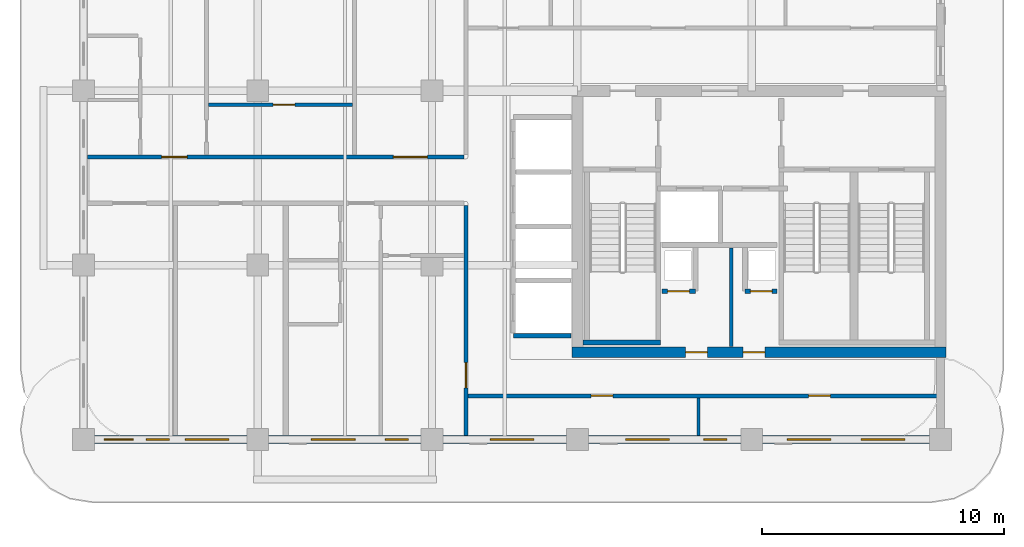
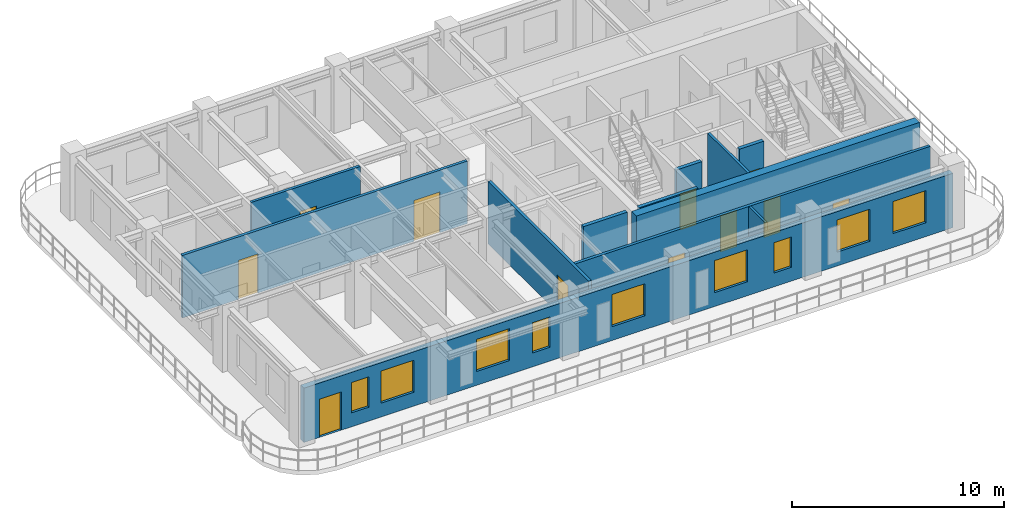
# One storey, part 3 of 8: 12 walls, 11 doors, 9 windows, 20 openings.
"""IFC4 building model written with IfcOpenShell, lengths in metres."""

import ifcopenshell
import ifcopenshell.guid

model = None  # the IFC model being written
_history = None  # IfcOwnerHistory: only IFC2X3 demands one
_inside = {}  # id of a spatial element -> (the spatial element, [elements in it])
_under = {}  # id of a project, library or spatial element -> (it, [spatial elements below it])
_declared = {}  # id of a project -> (the project, [libraries it declares])
_typed = {}  # id of a type object -> (the type object, [elements of that type])
_made_of = {}  # id of a material, layer set ... -> (it, [elements and type objects made of it])


def new_model(schema):
    """Start an empty IFC model of exactly this schema.

    Asked for "IFC4X3", IfcOpenShell would pick the latest addendum, in which some entities
    have other attributes; the version numbers below select the first issue.
    IFC2X3 requires an IfcOwnerHistory on every rooted entity: one is made here for all.
    """
    global model, _history
    if schema == "IFC4X3":
        model = ifcopenshell.file(schema_version=(4, 3, 0, 0))
    else:
        model = ifcopenshell.file(schema=schema)
    _inside.clear()
    _under.clear()
    _declared.clear()
    _typed.clear()
    _made_of.clear()
    _history = None
    if model.schema == "IFC2X3":
        org = make("IfcOrganization", Name="unknown")
        user = make(
            "IfcPersonAndOrganization",
            ThePerson=make("IfcPerson", FamilyName="unknown"),
            TheOrganization=org,
        )
        app = make(
            "IfcApplication",
            ApplicationDeveloper=org,
            Version="unknown",
            ApplicationFullName="unknown",
            ApplicationIdentifier="unknown",
        )
        _history = make(
            "IfcOwnerHistory",
            OwningUser=user,
            OwningApplication=app,
            ChangeAction="ADDED",
            CreationDate=0,
        )
    return model


def make(cls, **values):
    """One entity of the class cls with the attributes given. An attribute that is None is left unset."""
    return model.create_entity(
        cls, **{name: value for name, value in values.items() if value is not None}
    )


def rooted(cls, **values):
    """An entity with a GlobalId (a new one), such as an element, a storey or a relation."""
    return make(cls, GlobalId=ifcopenshell.guid.new(), OwnerHistory=_history, **values)


def si_unit(unit_type, name, prefix=None):
    """IfcSIUnit, for example si_unit("LENGTHUNIT", "METRE", prefix="MILLI")."""
    return make("IfcSIUnit", UnitType=unit_type, Prefix=prefix, Name=name)


def derived_unit(unit_type, elements):
    """IfcDerivedUnit: a product of units, each with its exponent."""
    return make(
        "IfcDerivedUnit",
        Elements=[
            make("IfcDerivedUnitElement", Unit=unit, Exponent=power)
            for unit, power in elements
        ],
        UnitType=unit_type,
    )


def assignment(units):
    """IfcUnitAssignment: the units of a project."""
    return None if units is None else make("IfcUnitAssignment", Units=units)


def point(xyz):
    """IfcCartesianPoint."""
    return None if xyz is None else make("IfcCartesianPoint", Coordinates=xyz)


def direction(xyz):
    """IfcDirection."""
    return None if xyz is None else make("IfcDirection", DirectionRatios=xyz)


def frame(location, z_axis=None, x_axis=None):
    """IfcAxis2Placement3D, a coordinate frame: its origin and axes. An axis left out is left unset."""
    return make(
        "IfcAxis2Placement3D",
        Location=point(location),
        Axis=direction(z_axis),
        RefDirection=direction(x_axis),
    )


def frame_2d(location, x_axis=None):
    """IfcAxis2Placement2D, a coordinate frame in the plane: its origin and x axis."""
    return make(
        "IfcAxis2Placement2D", Location=point(location), RefDirection=direction(x_axis)
    )


def origin():
    """The frame at (0, 0, 0) with its axes left unset."""
    return frame((0.0, 0.0, 0.0))


def place(relative_to, where):
    """IfcLocalPlacement: puts the frame where relative to a parent placement (None: the world)."""
    return make(
        "IfcLocalPlacement", PlacementRelTo=relative_to, RelativePlacement=where
    )


def context(
    kind, dimensions, precision=None, world=None, true_north=None, identifier=None
):
    """IfcGeometricRepresentationContext, for example the 3D "Model" context."""
    return make(
        "IfcGeometricRepresentationContext",
        ContextIdentifier=identifier,
        ContextType=kind,
        CoordinateSpaceDimension=dimensions,
        Precision=precision,
        WorldCoordinateSystem=world,
        TrueNorth=true_north,
    )


def subcontext(parent, identifier, kind, view, scale=None):
    """IfcGeometricRepresentationSubContext, for example "Body" below "Model"."""
    return make(
        "IfcGeometricRepresentationSubContext",
        ContextIdentifier=identifier,
        ContextType=kind,
        ParentContext=parent,
        TargetScale=scale,
        TargetView=view,
    )


def project(units=None, contexts=None):
    """IfcProject with its units and contexts."""
    return rooted(
        "IfcProject",
        Name="project",
        RepresentationContexts=contexts,
        UnitsInContext=assignment(units),
    )


def spatial(cls, under=None, at=None, **own):
    """A site, building, storey or space (cls), placed at a placement, below another one or the project."""
    s = rooted(cls, ObjectPlacement=at, **own)
    if under is not None:
        _under.setdefault(under.id(), (under, []))[1].append(s)
    return s


def profile(cls, at=None, kind="AREA", **sizes):
    """A parametric profile (cls). Its sizes go by their IFC names, for example OverallWidth=200.0."""
    return make(cls, ProfileType=kind, Position=at, **sizes)


def rectangle(**sizes):
    """IfcRectangleProfileDef."""
    return profile("IfcRectangleProfileDef", **sizes)


def extrude(swept, where, along, depth):
    """IfcExtrudedAreaSolid: the profile swept, set in the frame where, extruded along a direction by depth."""
    return make(
        "IfcExtrudedAreaSolid",
        SweptArea=swept,
        Position=where,
        ExtrudedDirection=direction(along),
        Depth=depth,
    )


def shape(context_of_items, identifier, shape_type, items):
    """IfcShapeRepresentation: the items that make up one representation, for example the "Body"."""
    return make(
        "IfcShapeRepresentation",
        ContextOfItems=context_of_items,
        RepresentationIdentifier=identifier,
        RepresentationType=shape_type,
        Items=items,
    )


def source(mapping_origin, context_of_items, identifier, shape_type, items):
    """IfcRepresentationMap: a shape defined once, which mapped items show again and again."""
    return make(
        "IfcRepresentationMap",
        MappingOrigin=mapping_origin,
        MappedRepresentation=shape(context_of_items, identifier, shape_type, items),
    )


def transform(
    local_origin,
    x_axis=None,
    y_axis=None,
    z_axis=None,
    scale=None,
    scale2=None,
    scale3=None,
    uniform=True,
):
    """IfcCartesianTransformationOperator3D, or its non-uniform kind. x_axis, y_axis, z_axis: its Axis1, 2, 3."""
    if uniform:
        return make(
            "IfcCartesianTransformationOperator3D",
            Axis1=direction(x_axis),
            Axis2=direction(y_axis),
            LocalOrigin=point(local_origin),
            Scale=scale,
            Axis3=direction(z_axis),
        )
    return make(
        "IfcCartesianTransformationOperator3DnonUniform",
        Axis1=direction(x_axis),
        Axis2=direction(y_axis),
        LocalOrigin=point(local_origin),
        Scale=scale,
        Axis3=direction(z_axis),
        Scale2=scale2,
        Scale3=scale3,
    )


def mapped(mapping_source, mapping_target):
    """IfcMappedItem: shows the shape of a source again, moved by a transform."""
    return make(
        "IfcMappedItem", MappingSource=mapping_source, MappingTarget=mapping_target
    )


def material(Name=None, Category=None):
    """IfcMaterial."""
    return make("IfcMaterial", Name=Name, Category=Category)


def layer(
    of_material, thickness, ventilated=None, Name=None, Category=None, Priority=None
):
    """IfcMaterialLayer: one layer of a wall or slab, of a material (None: an air gap)."""
    return make(
        "IfcMaterialLayer",
        Material=of_material,
        LayerThickness=thickness,
        IsVentilated=ventilated,
        Name=Name,
        Category=Category,
        Priority=Priority,
    )


def layer_set(layers, Name=None):
    """IfcMaterialLayerSet."""
    return make("IfcMaterialLayerSet", MaterialLayers=layers, LayerSetName=Name)


def made_of(thing, what):
    """Note that an element or type object is made of a material, layer set ...; save() writes the relation."""
    if what is not None:
        _made_of.setdefault(what.id(), (what, []))[1].append(thing)
    return thing


def type_object(cls, material=None, **own):
    """A type object (cls), such as IfcWallType, which elements share."""
    return made_of(rooted(cls, **own), material)


def type_shapes(of_type, sources):
    """Give a type object the sources (RepresentationMaps) that its elements show as mapped items."""
    of_type.RepresentationMaps = sources


def element(
    cls,
    number,
    at=None,
    inside=None,
    cuts=None,
    type_object=None,
    material=None,
    context=None,
    identifier="Body",
    shape_type=None,
    held_by="IfcProductDefinitionShape",
    body=None,
    shapes=None,
    **own,
):
    """One element of the class cls, such as IfcWall. Its Tag is "e" and its number.

    at: its placement. inside: the storey or other place that contains it. cuts: it is an
    opening in that element (IfcRelVoidsElement). A single representation is given by context,
    identifier, shape_type and body (its items); several are given by shapes. held_by: the class
    of the entity that holds the representations. save() writes the other relations.
    """
    e = rooted(cls, Tag="e%d" % number, ObjectPlacement=at, **own)
    if body is not None:
        shapes = [shape(context, identifier, shape_type, body)]
    if shapes is not None:
        e.Representation = make(held_by, Representations=shapes)
    if inside is not None:
        _inside.setdefault(inside.id(), (inside, []))[1].append(e)
    if cuts is not None:
        rooted(
            "IfcRelVoidsElement", RelatingBuildingElement=cuts, RelatedOpeningElement=e
        )
    if type_object is not None:
        _typed.setdefault(type_object.id(), (type_object, []))[1].append(e)
    return made_of(e, material)


def fill(opening, filler):
    """IfcRelFillsElement: the door or window that sits in an opening."""
    return rooted(
        "IfcRelFillsElement",
        RelatingOpeningElement=opening,
        RelatedBuildingElement=filler,
    )


def aggregate(whole, parts):
    """IfcRelAggregates: a whole, such as a stair, and the parts it consists of."""
    return rooted("IfcRelAggregates", RelatingObject=whole, RelatedObjects=parts)


def save(model, path):
    """Write the relations noted so far, then the file.

    IfcRelAggregates (storeys below a building ...), IfcRelContainedInSpatialStructure (elements
    in a storey), IfcRelDefinesByType, IfcRelAssociatesMaterial and IfcRelDeclares: one each for
    every whole, place, type object, material and project.
    """
    for whole, parts in _under.values():
        aggregate(whole, parts)
    for where, things in _inside.values():
        rooted(
            "IfcRelContainedInSpatialStructure",
            RelatedElements=things,
            RelatingStructure=where,
        )
    for kind, things in _typed.values():
        rooted("IfcRelDefinesByType", RelatedObjects=things, RelatingType=kind)
    for what, things in _made_of.values():
        rooted("IfcRelAssociatesMaterial", RelatedObjects=things, RelatingMaterial=what)
    for by, libraries in _declared.values():
        rooted("IfcRelDeclares", RelatingContext=by, RelatedDefinitions=libraries)
    model.write(path)


model = new_model("IFC4")

# Units and contexts
model_context = context("Model", 3, precision=1e-05, world=origin(), true_north=direction((0.0, 1.0)))
body_context = subcontext(model_context, "Body", "Model", "MODEL_VIEW")
ifc_project = project(units=[si_unit("LENGTHUNIT", "METRE"), si_unit("AREAUNIT", "SQUARE_METRE"), si_unit("VOLUMEUNIT", "CUBIC_METRE"), si_unit("PLANEANGLEUNIT", "RADIAN"), si_unit("MASSUNIT", "GRAM", prefix="KILO"), si_unit("THERMODYNAMICTEMPERATUREUNIT", "KELVIN"), si_unit("POWERUNIT", "WATT"), derived_unit("THERMALTRANSMITTANCEUNIT", [(si_unit("POWERUNIT", "WATT"), 1), (si_unit("AREAUNIT", "SQUARE_METRE"), -1), (si_unit("THERMODYNAMICTEMPERATUREUNIT", "KELVIN"), -1)])], contexts=[model_context])

# Site, building, storey
site_placement = place(None, origin())
site = spatial("IfcSite", under=ifc_project, at=site_placement, CompositionType="ELEMENT")
building_placement = place(site_placement, origin())
building = spatial("IfcBuilding", under=site, at=building_placement, Name="Zahravan Archway Hotel and Residences", CompositionType="ELEMENT")
storey_placement = place(building_placement, frame((0.0, 0.0, 225.0)))
storey = spatial("IfcBuildingStorey", under=building, at=storey_placement, Name="L56", CompositionType="ELEMENT", Elevation=225.0)

# Wall, openings, doors
ifc_material_1 = material(Name="Concrete C50/60", Category="concrete")
ifc_layer_1 = layer(ifc_material_1, 0.449951171875, Name="Concrete C50/60", Category="concrete")
ifc_layer_set_1 = layer_set([ifc_layer_1], Name="Concrete C50/60")
wall_type_1 = type_object("IfcWallType", Name="CW-CORE-450", PredefinedType="SHEAR", material=ifc_layer_set_1)
wall_1_placement = place(storey_placement, frame((34.574951171875, 3.60009765625, 0.0), z_axis=(0.0, 0.0, 1.0), x_axis=(1.0, 0.0, 0.0)))
wall_1 = element("IfcWall", 1, at=wall_1_placement, inside=storey, type_object=wall_type_1, Name="L56 Core A Shear S Wall 450 mm", PredefinedType="SHEAR", context=body_context, shape_type="SweptSolid", body=[
    extrude(rectangle(XDim=15.449951171875, YDim=0.449951171875, at=frame_2d((7.72509765625, 0.0))), origin(), (0.0, 0.0, 1.0), 3.85009765625),
])
opening_1_placement = place(wall_1_placement, frame((4.695068359375, 0.0, 0.0)))
opening_1 = element("IfcOpeningElement", 2, at=opening_1_placement, cuts=wall_1, Name="Opening FD-R1", PredefinedType="OPENING", context=body_context, shape_type="SweptSolid", body=[
    extrude(rectangle(XDim=0.89990234375, YDim=2.10009765625, at=frame_2d((0.449951171875, 1.050048828125))), frame((0.0, 0.23486328125, 0.0), z_axis=(0.0, -1.0, 0.0), x_axis=(1.0, 0.0, 0.0)), (0.0, 0.0, 1.0), 0.469970703125),
])
opening_2_placement = place(wall_1_placement, frame((7.074951171875, 0.0, 0.0)))
opening_2 = element("IfcOpeningElement", 3, at=opening_2_placement, cuts=wall_1, Name="Opening FD-R1", PredefinedType="OPENING", context=body_context, shape_type="SweptSolid", body=[
    extrude(rectangle(XDim=0.89990234375, YDim=2.10009765625, at=frame_2d((0.449951171875, 1.050048828125))), frame((0.0, 0.23486328125, 0.0), z_axis=(0.0, -1.0, 0.0), x_axis=(1.0, 0.0, 0.0)), (0.0, 0.0, 1.0), 0.469970703125),
])
ifc_material_2 = material(Name="Fire-Rated Painted Steel", Category="steel")
door_type_1 = type_object("IfcDoorType", Name="FD-RISER-900", OperationType="NOTDEFINED", PredefinedType="DOOR", material=ifc_material_2)
shared_shape_1 = source(origin(), body_context, "Body", "SweptSolid", [
    extrude(rectangle(XDim=0.89990234375, YDim=2.10009765625, at=frame_2d((0.449951171875, 1.050048828125))), frame((0.0, 0.02490234375, 0.0), z_axis=(0.0, -1.0, 0.0), x_axis=(1.0, 0.0, 0.0)), (0.0, 0.0, 1.0), 0.050048828125),
])
type_shapes(door_type_1, [shared_shape_1])
door_1_placement = place(opening_1_placement, origin())
door_1 = element("IfcDoor", 4, at=door_1_placement, inside=storey, type_object=door_type_1, Name="L56 Fan Room Door", OperationType="SINGLE_SWING_RIGHT", OverallHeight=2.10009765625, OverallWidth=0.89990234375, PredefinedType="DOOR", context=body_context, shape_type="MappedRepresentation", body=[
    mapped(shared_shape_1, transform((0.0, 0.0, 0.0), scale=1.0)),
])
fill(opening_1, door_1)
door_2_placement = place(opening_2_placement, origin())
door_2 = element("IfcDoor", 5, at=door_2_placement, inside=storey, type_object=door_type_1, Name="L56 Sub-Meter Cupboard Door", OperationType="SINGLE_SWING_LEFT", OverallHeight=2.10009765625, OverallWidth=0.89990234375, PredefinedType="DOOR", context=body_context, shape_type="MappedRepresentation", body=[
    mapped(shared_shape_1, transform((0.0, 0.0, 0.0), scale=1.0)),
])
fill(opening_2, door_2)

# Wall, openings, door, windows
ifc_material_3 = material(Name="Agra Buff Sandstone & Insulated Backup", Category="masonry")
ifc_layer_2 = layer(ifc_material_3, 0.320068359375, Name="Agra Buff Sandstone & Insulated Backup", Category="masonry")
ifc_layer_set_2 = layer_set([ifc_layer_2], Name="Agra Buff Sandstone & Insulated Backup")
wall_type_2 = type_object("IfcWallType", Name="EW-SAND-320", PredefinedType="SOLIDWALL", material=ifc_layer_set_2)
wall_2_placement = place(storey_placement, frame((14.39990234375, 0.0, 0.0), z_axis=(0.0, 0.0, 1.0), x_axis=(1.0, 0.0, 0.0)))
wall_2 = element("IfcWall", 6, at=wall_2_placement, inside=storey, type_object=wall_type_2, Name="L56 Exterior Sandstone Wall WA-S", PredefinedType="SOLIDWALL", context=body_context, shape_type="SweptSolid", body=[
    extrude(rectangle(XDim=35.400146484375, YDim=0.320068359375, at=frame_2d((17.7001953125, 0.0))), origin(), (0.0, 0.0, 1.0), 3.135009765625),
])
opening_3_placement = place(wall_2_placement, frame((0.85009765625, 0.0, 0.0)))
opening_3 = element("IfcOpeningElement", 7, at=opening_3_placement, cuts=wall_2, Name="Opening ED-BL1", PredefinedType="OPENING", context=body_context, shape_type="SweptSolid", body=[
    extrude(rectangle(XDim=1.199951171875, YDim=2.199951171875, at=frame_2d((0.60009765625, 1.10009765625))), frame((0.0, 0.169921875, 0.0), z_axis=(0.0, -1.0, 0.0), x_axis=(1.0, 0.0, 0.0)), (0.0, 0.0, 1.0), 0.340087890625),
])
opening_4_placement = place(wall_2_placement, frame((2.595947265625, 0.0, 0.800048828125)))
opening_4 = element("IfcOpeningElement", 8, at=opening_4_placement, cuts=wall_2, Name="Opening W-04", PredefinedType="OPENING", context=body_context, shape_type="SweptSolid", body=[
    extrude(rectangle(XDim=0.949951171875, YDim=1.75, at=frame_2d((0.47509765625, 0.875))), frame((0.0, 0.169921875, 0.0), z_axis=(0.0, -1.0, 0.0), x_axis=(1.0, 0.0, 0.0)), (0.0, 0.0, 1.0), 0.340087890625),
])
opening_5_placement = place(wall_2_placement, frame((4.2041015625, 0.0, 0.800048828125)))
opening_5 = element("IfcOpeningElement", 9, at=opening_5_placement, cuts=wall_2, Name="Opening W-02", PredefinedType="OPENING", context=body_context, shape_type="SweptSolid", body=[
    extrude(rectangle(XDim=1.800048828125, YDim=1.85009765625, at=frame_2d((0.89990234375, 0.925048828125))), frame((0.0, 0.169921875, 0.0), z_axis=(0.0, -1.0, 0.0), x_axis=(1.0, 0.0, 0.0)), (0.0, 0.0, 1.0), 0.340087890625),
])
opening_6_placement = place(wall_2_placement, frame((9.4150390625, 0.0, 0.800048828125)))
opening_6 = element("IfcOpeningElement", 10, at=opening_6_placement, cuts=wall_2, Name="Opening W-02", PredefinedType="OPENING", context=body_context, shape_type="SweptSolid", body=[
    extrude(rectangle(XDim=1.800048828125, YDim=1.85009765625, at=frame_2d((0.89990234375, 0.925048828125))), frame((0.0, 0.169921875, 0.0), z_axis=(0.0, -1.0, 0.0), x_axis=(1.0, 0.0, 0.0)), (0.0, 0.0, 1.0), 0.340087890625),
])
opening_7_placement = place(wall_2_placement, frame((12.468994140625, 0.0, 0.800048828125)))
opening_7 = element("IfcOpeningElement", 11, at=opening_7_placement, cuts=wall_2, Name="Opening W-04", PredefinedType="OPENING", context=body_context, shape_type="SweptSolid", body=[
    extrude(rectangle(XDim=0.949951171875, YDim=1.75, at=frame_2d((0.47509765625, 0.875))), frame((0.0, 0.169921875, 0.0), z_axis=(0.0, -1.0, 0.0), x_axis=(1.0, 0.0, 0.0)), (0.0, 0.0, 1.0), 0.340087890625),
])
opening_8_placement = place(wall_2_placement, frame((16.803955078125, 0.0, 0.800048828125)))
opening_8 = element("IfcOpeningElement", 12, at=opening_8_placement, cuts=wall_2, Name="Opening W-02", PredefinedType="OPENING", context=body_context, shape_type="SweptSolid", body=[
    extrude(rectangle(XDim=1.800048828125, YDim=1.85009765625, at=frame_2d((0.89990234375, 0.925048828125))), frame((0.0, 0.169921875, 0.0), z_axis=(0.0, -1.0, 0.0), x_axis=(1.0, 0.0, 0.0)), (0.0, 0.0, 1.0), 0.340087890625),
])
opening_9_placement = place(wall_2_placement, frame((22.39599609375, 0.0, 0.800048828125)))
opening_9 = element("IfcOpeningElement", 13, at=opening_9_placement, cuts=wall_2, Name="Opening W-02", PredefinedType="OPENING", context=body_context, shape_type="SweptSolid", body=[
    extrude(rectangle(XDim=1.800048828125, YDim=1.85009765625, at=frame_2d((0.89990234375, 0.925048828125))), frame((0.0, 0.169921875, 0.0), z_axis=(0.0, -1.0, 0.0), x_axis=(1.0, 0.0, 0.0)), (0.0, 0.0, 1.0), 0.340087890625),
])
opening_10_placement = place(wall_2_placement, frame((25.62890625, 0.0, 0.800048828125)))
opening_10 = element("IfcOpeningElement", 14, at=opening_10_placement, cuts=wall_2, Name="Opening W-04", PredefinedType="OPENING", context=body_context, shape_type="SweptSolid", body=[
    extrude(rectangle(XDim=0.949951171875, YDim=1.75, at=frame_2d((0.47509765625, 0.875))), frame((0.0, 0.169921875, 0.0), z_axis=(0.0, -1.0, 0.0), x_axis=(1.0, 0.0, 0.0)), (0.0, 0.0, 1.0), 0.340087890625),
])
opening_11_placement = place(wall_2_placement, frame((29.074951171875, 0.0, 0.800048828125)))
opening_11 = element("IfcOpeningElement", 15, at=opening_11_placement, cuts=wall_2, Name="Opening W-02", PredefinedType="OPENING", context=body_context, shape_type="SweptSolid", body=[
    extrude(rectangle(XDim=1.800048828125, YDim=1.85009765625, at=frame_2d((0.89990234375, 0.925048828125))), frame((0.0, 0.169921875, 0.0), z_axis=(0.0, -1.0, 0.0), x_axis=(1.0, 0.0, 0.0)), (0.0, 0.0, 1.0), 0.340087890625),
])
opening_12_placement = place(wall_2_placement, frame((32.125, 0.0, 0.800048828125)))
opening_12 = element("IfcOpeningElement", 16, at=opening_12_placement, cuts=wall_2, Name="Opening W-02", PredefinedType="OPENING", context=body_context, shape_type="SweptSolid", body=[
    extrude(rectangle(XDim=1.800048828125, YDim=1.85009765625, at=frame_2d((0.89990234375, 0.925048828125))), frame((0.0, 0.169921875, 0.0), z_axis=(0.0, -1.0, 0.0), x_axis=(1.0, 0.0, 0.0)), (0.0, 0.0, 1.0), 0.340087890625),
])
ifc_material_4 = material(Name="Bronze-Anodized Glazed Aluminium", Category="aluminium")
door_type_2 = type_object("IfcDoorType", Name="ED-BALC-1200", OperationType="SLIDING_TO_LEFT", PredefinedType="DOOR", material=ifc_material_4)
shared_shape_2 = source(origin(), body_context, "Body", "SweptSolid", [
    extrude(rectangle(XDim=1.199951171875, YDim=2.199951171875, at=frame_2d((0.60009765625, 1.10009765625))), frame((0.0, 0.02490234375, 0.0), z_axis=(0.0, -1.0, 0.0), x_axis=(1.0, 0.0, 0.0)), (0.0, 0.0, 1.0), 0.050048828125),
])
type_shapes(door_type_2, [shared_shape_2])
door_3_placement = place(opening_3_placement, origin())
door_3 = element("IfcDoor", 17, at=door_3_placement, inside=storey, type_object=door_type_2, Name="L56 Outdoor Access Sliding Door (SLB-BAL-L56-SA)", OperationType="SLIDING_TO_LEFT", OverallHeight=2.199951171875, OverallWidth=1.199951171875, PredefinedType="DOOR", context=body_context, shape_type="MappedRepresentation", body=[
    mapped(shared_shape_2, transform((0.0, 0.0, 0.0), scale=1.0)),
])
fill(opening_3, door_3)
ifc_material_5 = material(Name="Bronze-Anodized Thermal-Break Aluminium & Low-E Glass", Category="aluminium")
window_type_1 = type_object("IfcWindowType", Name="WIN-NAR-950", PartitioningType="SINGLE_PANEL", PredefinedType="WINDOW", material=ifc_material_5)
shared_shape_3 = source(origin(), body_context, "Body", "SweptSolid", [
    extrude(rectangle(XDim=0.949951171875, YDim=1.75, at=frame_2d((0.47509765625, 0.875))), frame((0.0, 0.030029296875, 0.0), z_axis=(0.0, -1.0, 0.0), x_axis=(1.0, 0.0, 0.0)), (0.0, 0.0, 1.0), 0.06005859375),
])
type_shapes(window_type_1, [shared_shape_3])
window_1_placement = place(opening_4_placement, origin())
window_1 = element("IfcWindow", 18, at=window_1_placement, inside=storey, type_object=window_type_1, Name="L56 Loggia Window 01", OverallHeight=1.75, OverallWidth=0.949951171875, PartitioningType="SINGLE_PANEL", PredefinedType="WINDOW", context=body_context, shape_type="MappedRepresentation", body=[
    mapped(shared_shape_3, transform((0.0, 0.0, 0.0), scale=1.0)),
])
fill(opening_4, window_1)
window_2_placement = place(opening_7_placement, origin())
window_2 = element("IfcWindow", 19, at=window_2_placement, inside=storey, type_object=window_type_1, Name="L56 Loggia Window 04", OverallHeight=1.75, OverallWidth=0.949951171875, PartitioningType="SINGLE_PANEL", PredefinedType="WINDOW", context=body_context, shape_type="MappedRepresentation", body=[
    mapped(shared_shape_3, transform((0.0, 0.0, 0.0), scale=1.0)),
])
fill(opening_7, window_2)
window_3_placement = place(opening_10_placement, origin())
window_3 = element("IfcWindow", 20, at=window_3_placement, inside=storey, type_object=window_type_1, Name="L56 Loggia Window 07", OverallHeight=1.75, OverallWidth=0.949951171875, PartitioningType="SINGLE_PANEL", PredefinedType="WINDOW", context=body_context, shape_type="MappedRepresentation", body=[
    mapped(shared_shape_3, transform((0.0, 0.0, 0.0), scale=1.0)),
])
fill(opening_10, window_3)
window_type_2 = type_object("IfcWindowType", Name="WIN-TWR-1800", PartitioningType="DOUBLE_PANEL_VERTICAL", PredefinedType="WINDOW", material=ifc_material_5)
shared_shape_4 = source(origin(), body_context, "Body", "SweptSolid", [
    extrude(rectangle(XDim=1.800048828125, YDim=1.85009765625, at=frame_2d((0.89990234375, 0.925048828125))), frame((0.0, 0.030029296875, 0.0), z_axis=(0.0, -1.0, 0.0), x_axis=(1.0, 0.0, 0.0)), (0.0, 0.0, 1.0), 0.06005859375),
])
type_shapes(window_type_2, [shared_shape_4])
window_4_placement = place(opening_5_placement, origin())
window_4 = element("IfcWindow", 21, at=window_4_placement, inside=storey, type_object=window_type_2, Name="L56 Loggia Window 02", OverallHeight=1.85009765625, OverallWidth=1.800048828125, PartitioningType="DOUBLE_PANEL_VERTICAL", PredefinedType="WINDOW", context=body_context, shape_type="MappedRepresentation", body=[
    mapped(shared_shape_4, transform((0.0, 0.0, 0.0), scale=1.0)),
])
fill(opening_5, window_4)
window_5_placement = place(opening_6_placement, origin())
window_5 = element("IfcWindow", 22, at=window_5_placement, inside=storey, type_object=window_type_2, Name="L56 Loggia Window 03", OverallHeight=1.85009765625, OverallWidth=1.800048828125, PartitioningType="DOUBLE_PANEL_VERTICAL", PredefinedType="WINDOW", context=body_context, shape_type="MappedRepresentation", body=[
    mapped(shared_shape_4, transform((0.0, 0.0, 0.0), scale=1.0)),
])
fill(opening_6, window_5)
window_6_placement = place(opening_8_placement, origin())
window_6 = element("IfcWindow", 23, at=window_6_placement, inside=storey, type_object=window_type_2, Name="L56 Loggia Window 05", OverallHeight=1.85009765625, OverallWidth=1.800048828125, PartitioningType="DOUBLE_PANEL_VERTICAL", PredefinedType="WINDOW", context=body_context, shape_type="MappedRepresentation", body=[
    mapped(shared_shape_4, transform((0.0, 0.0, 0.0), scale=1.0)),
])
fill(opening_8, window_6)
window_7_placement = place(opening_9_placement, origin())
window_7 = element("IfcWindow", 24, at=window_7_placement, inside=storey, type_object=window_type_2, Name="L56 Loggia Window 06", OverallHeight=1.85009765625, OverallWidth=1.800048828125, PartitioningType="DOUBLE_PANEL_VERTICAL", PredefinedType="WINDOW", context=body_context, shape_type="MappedRepresentation", body=[
    mapped(shared_shape_4, transform((0.0, 0.0, 0.0), scale=1.0)),
])
fill(opening_9, window_7)
window_8_placement = place(opening_11_placement, origin())
window_8 = element("IfcWindow", 25, at=window_8_placement, inside=storey, type_object=window_type_2, Name="L56 Loggia Window 08", OverallHeight=1.85009765625, OverallWidth=1.800048828125, PartitioningType="DOUBLE_PANEL_VERTICAL", PredefinedType="WINDOW", context=body_context, shape_type="MappedRepresentation", body=[
    mapped(shared_shape_4, transform((0.0, 0.0, 0.0), scale=1.0)),
])
fill(opening_11, window_8)
window_9_placement = place(opening_12_placement, origin())
window_9 = element("IfcWindow", 26, at=window_9_placement, inside=storey, type_object=window_type_2, Name="L56 Loggia Window 09", OverallHeight=1.85009765625, OverallWidth=1.800048828125, PartitioningType="DOUBLE_PANEL_VERTICAL", PredefinedType="WINDOW", context=body_context, shape_type="MappedRepresentation", body=[
    mapped(shared_shape_4, transform((0.0, 0.0, 0.0), scale=1.0)),
])
fill(opening_12, window_9)

# Wall, openings, doors
ifc_material_6 = material(Name="Fire-Rated Gypsum & Concrete Block", Category="concrete")
ifc_layer_3 = layer(ifc_material_6, 0.159912109375, Name="Fire-Rated Gypsum & Concrete Block", Category="concrete")
ifc_layer_set_3 = layer_set([ifc_layer_3], Name="Fire-Rated Gypsum & Concrete Block")
wall_type_3 = type_object("IfcWallType", Name="PW-CORR-160", PredefinedType="PARTITIONING", material=ifc_layer_set_3)
wall_3_placement = place(storey_placement, frame((14.568115234375, 11.669921875, 0.0), z_axis=(0.0, 0.0, 1.0), x_axis=(1.0, 0.0, 0.0)))
wall_3 = element("IfcWall", 27, at=wall_3_placement, inside=storey, type_object=wall_type_3, Name="L56 Partition WA-CN", PredefinedType="PARTITIONING", context=body_context, shape_type="SweptSolid", body=[
    extrude(rectangle(XDim=15.5419921875, YDim=0.159912109375, at=frame_2d((7.77099609375, 0.0))), origin(), (0.0, 0.0, 1.0), 3.60009765625),
])
opening_13_placement = place(wall_3_placement, frame((3.06201171875, 0.0, 0.0)))
opening_13 = element("IfcOpeningElement", 28, at=opening_13_placement, cuts=wall_3, Name="Opening D-U1", PredefinedType="OPENING", context=body_context, shape_type="SweptSolid", body=[
    extrude(rectangle(XDim=1.050048828125, YDim=2.25, at=frame_2d((0.52490234375, 1.125))), frame((0.0, 0.08984375, 0.0), z_axis=(0.0, -1.0, 0.0), x_axis=(1.0, 0.0, 0.0)), (0.0, 0.0, 1.0), 0.179931640625),
])
opening_14_placement = place(wall_3_placement, frame((12.632080078125, 0.0, 0.0)))
opening_14 = element("IfcOpeningElement", 29, at=opening_14_placement, cuts=wall_3, Name="Opening D-P1", PredefinedType="OPENING", context=body_context, shape_type="SweptSolid", body=[
    extrude(rectangle(XDim=1.39990234375, YDim=2.35009765625, at=frame_2d((0.699951171875, 1.175048828125))), frame((0.0, 0.08984375, 0.0), z_axis=(0.0, -1.0, 0.0), x_axis=(1.0, 0.0, 0.0)), (0.0, 0.0, 1.0), 0.179931640625),
])
door_type_3 = type_object("IfcDoorType", Name="ID-PUBLIC-1400", OperationType="DOUBLE_DOOR_SINGLE_SWING", PredefinedType="DOOR", material=ifc_material_4)
shared_shape_5 = source(origin(), body_context, "Body", "SweptSolid", [
    extrude(rectangle(XDim=1.39990234375, YDim=2.35009765625, at=frame_2d((0.699951171875, 1.175048828125))), frame((0.0, 0.02490234375, 0.0), z_axis=(0.0, -1.0, 0.0), x_axis=(1.0, 0.0, 0.0)), (0.0, 0.0, 1.0), 0.050048828125),
])
type_shapes(door_type_3, [shared_shape_5])
door_4_placement = place(opening_14_placement, origin())
door_4 = element("IfcDoor", 30, at=door_4_placement, inside=storey, type_object=door_type_3, Name="L56 North Sky Library Door", OperationType="DOUBLE_DOOR_SINGLE_SWING", OverallHeight=2.35009765625, OverallWidth=1.39990234375, PredefinedType="DOOR", context=body_context, shape_type="MappedRepresentation", body=[
    mapped(shared_shape_5, transform((0.0, 0.0, 0.0), scale=1.0)),
])
fill(opening_14, door_4)
ifc_material_7 = material(Name="Hardwood Veneer Timber", Category="wood")
door_type_4 = type_object("IfcDoorType", Name="ID-UNIT-1050", OperationType="NOTDEFINED", PredefinedType="DOOR", material=ifc_material_7)
shared_shape_6 = source(origin(), body_context, "Body", "SweptSolid", [
    extrude(rectangle(XDim=1.050048828125, YDim=2.25, at=frame_2d((0.52490234375, 1.125))), frame((0.0, 0.02490234375, 0.0), z_axis=(0.0, -1.0, 0.0), x_axis=(1.0, 0.0, 0.0)), (0.0, 0.0, 1.0), 0.050048828125),
])
type_shapes(door_type_4, [shared_shape_6])
door_5_placement = place(opening_13_placement, origin())
door_5 = element("IfcDoor", 31, at=door_5_placement, inside=storey, type_object=door_type_4, Name="L56 Flat N1 Entrance Door", OperationType="SINGLE_SWING_LEFT", OverallHeight=2.25, OverallWidth=1.050048828125, PredefinedType="DOOR", context=body_context, shape_type="MappedRepresentation", body=[
    mapped(shared_shape_6, transform((0.0, 0.0, 0.0), scale=1.0)),
])
fill(opening_13, door_5)

# Wall, opening, door
wall_4_placement = place(storey_placement, frame((30.199951171875, 0.16796875, 0.0), z_axis=(0.0, 0.0, 1.0), x_axis=(0.0, 1.0, 0.0)))
wall_4 = element("IfcWall", 32, at=wall_4_placement, inside=storey, type_object=wall_type_3, Name="L56 Partition WA-SRW", PredefinedType="PARTITIONING", context=body_context, shape_type="SweptSolid", body=[
    extrude(rectangle(XDim=9.491943359375, YDim=0.159912109375, at=frame_2d((4.74609375, 0.0))), origin(), (0.0, 0.0, 1.0), 3.60009765625),
])
opening_15_placement = place(wall_4_placement, frame((1.95703125, 0.0, 0.0)))
opening_15 = element("IfcOpeningElement", 33, at=opening_15_placement, cuts=wall_4, Name="Opening FD-L2", PredefinedType="OPENING", context=body_context, shape_type="SweptSolid", body=[
    extrude(rectangle(XDim=1.050048828125, YDim=2.14990234375, at=frame_2d((0.52490234375, 1.074951171875))), frame((0.0, 0.08984375, 0.0), z_axis=(0.0, -1.0, 0.0), x_axis=(1.0, 0.0, 0.0)), (0.0, 0.0, 1.0), 0.179931640625),
])
door_type_5 = type_object("IfcDoorType", Name="FD-LOBBY-1100", OperationType="NOTDEFINED", PredefinedType="DOOR", material=ifc_material_2)
shared_shape_7 = source(origin(), body_context, "Body", "SweptSolid", [
    extrude(rectangle(XDim=1.050048828125, YDim=2.14990234375, at=frame_2d((0.52490234375, 1.074951171875))), frame((0.0, 0.02490234375, 0.0), z_axis=(0.0, -1.0, 0.0), x_axis=(1.0, 0.0, 0.0)), (0.0, 0.0, 1.0), 0.050048828125),
])
type_shapes(door_type_5, [shared_shape_7])
door_6_placement = place(opening_15_placement, origin())
door_6 = element("IfcDoor", 34, at=door_6_placement, inside=storey, type_object=door_type_5, Name="L56 South Riser Corridor Door", OperationType="SINGLE_SWING_RIGHT", OverallHeight=2.14990234375, OverallWidth=1.050048828125, PredefinedType="DOOR", context=body_context, shape_type="MappedRepresentation", body=[
    mapped(shared_shape_7, transform((0.0, 0.0, 0.0), scale=1.0)),
])
fill(opening_15, door_6)

# Wall, openings, doors
wall_5_placement = place(storey_placement, frame((30.2900390625, 1.800048828125, 0.0), z_axis=(0.0, 0.0, 1.0), x_axis=(1.0, 0.0, 0.0)))
wall_5 = element("IfcWall", 35, at=wall_5_placement, inside=storey, type_object=wall_type_3, Name="L56 Partition WA-SRS", PredefinedType="PARTITIONING", context=body_context, shape_type="SweptSolid", body=[
    extrude(rectangle(XDim=19.369873046875, YDim=0.159912109375, at=frame_2d((9.68505859375, 0.0))), origin(), (0.0, 0.0, 1.0), 3.60009765625),
])
opening_16_placement = place(wall_5_placement, frame((5.07421875, 0.0, 0.0)))
opening_16 = element("IfcOpeningElement", 36, at=opening_16_placement, cuts=wall_5, Name="Opening D-I2", PredefinedType="OPENING", context=body_context, shape_type="SweptSolid", body=[
    extrude(rectangle(XDim=0.89990234375, YDim=2.14990234375, at=frame_2d((0.449951171875, 1.074951171875))), frame((0.0, 0.08984375, 0.0), z_axis=(0.0, -1.0, 0.0), x_axis=(1.0, 0.0, 0.0)), (0.0, 0.0, 1.0), 0.179931640625),
])
opening_17_placement = place(wall_5_placement, frame((14.06005859375, 0.0, 0.0)))
opening_17 = element("IfcOpeningElement", 37, at=opening_17_placement, cuts=wall_5, Name="Opening D-I2", PredefinedType="OPENING", context=body_context, shape_type="SweptSolid", body=[
    extrude(rectangle(XDim=0.89990234375, YDim=2.14990234375, at=frame_2d((0.449951171875, 1.074951171875))), frame((0.0, 0.08984375, 0.0), z_axis=(0.0, -1.0, 0.0), x_axis=(1.0, 0.0, 0.0)), (0.0, 0.0, 1.0), 0.179931640625),
])
door_type_6 = type_object("IfcDoorType", Name="ID-INT-900", OperationType="NOTDEFINED", PredefinedType="DOOR", material=ifc_material_7)
shared_shape_8 = source(origin(), body_context, "Body", "SweptSolid", [
    extrude(rectangle(XDim=0.89990234375, YDim=2.14990234375, at=frame_2d((0.449951171875, 1.074951171875))), frame((0.0, 0.02490234375, 0.0), z_axis=(0.0, -1.0, 0.0), x_axis=(1.0, 0.0, 0.0)), (0.0, 0.0, 1.0), 0.050048828125),
])
type_shapes(door_type_6, [shared_shape_8])
door_7_placement = place(opening_16_placement, origin())
door_7 = element("IfcDoor", 38, at=door_7_placement, inside=storey, type_object=door_type_6, Name="L56 South Study Door", OperationType="SINGLE_SWING_LEFT", OverallHeight=2.14990234375, OverallWidth=0.89990234375, PredefinedType="DOOR", context=body_context, shape_type="MappedRepresentation", body=[
    mapped(shared_shape_8, transform((0.0, 0.0, 0.0), scale=1.0)),
])
fill(opening_16, door_7)
door_8_placement = place(opening_17_placement, origin())
door_8 = element("IfcDoor", 39, at=door_8_placement, inside=storey, type_object=door_type_6, Name="L56 South Pantry Door", OperationType="SINGLE_SWING_RIGHT", OverallHeight=2.14990234375, OverallWidth=0.89990234375, PredefinedType="DOOR", context=body_context, shape_type="MappedRepresentation", body=[
    mapped(shared_shape_8, transform((0.0, 0.0, 0.0), scale=1.0)),
])
fill(opening_17, door_8)

# Wall
ifc_material_8 = material(Name="Acoustic Stud Partition")
ifc_layer_4 = layer(ifc_material_8, 0.125, Name="Acoustic Stud Partition")
ifc_layer_set_4 = layer_set([ifc_layer_4], Name="Acoustic Stud Partition")
wall_type_4 = type_object("IfcWallType", Name="PW-INT-125", PredefinedType="PARTITIONING", material=ifc_layer_set_4)
wall_6_placement = place(storey_placement, frame((39.800048828125, 0.16796875, 0.0), z_axis=(0.0, 0.0, 1.0), x_axis=(0.0, 1.0, 0.0)))
element("IfcWall", 40, at=wall_6_placement, inside=storey, type_object=wall_type_4, Name="L56 Partition S-DIV1", PredefinedType="PARTITIONING", context=body_context, shape_type="SweptSolid", body=[
    extrude(rectangle(XDim=1.5419921875, YDim=0.125, at=frame_2d((0.77099609375, 0.0))), origin(), (0.0, 0.0, 1.0), 3.60009765625),
])

# Wall, opening, door
ifc_layer_5 = layer(ifc_material_6, 0.199951171875, Name="Fire-Rated Gypsum & Concrete Block", Category="concrete")
ifc_layer_set_5 = layer_set([ifc_layer_5], Name="Fire-Rated Gypsum & Concrete Block")
wall_type_5 = type_object("IfcWallType", Name="PW-SHAFT-200", PredefinedType="PARTITIONING", material=ifc_layer_set_5)
wall_7_placement = place(storey_placement, frame((38.2900390625, 6.1201171875, 0.0), z_axis=(0.0, 0.0, 1.0), x_axis=(1.0, 0.0, 0.0)))
wall_7 = element("IfcWall", 41, at=wall_7_placement, inside=storey, type_object=wall_type_5, Name="L56 Partition CA-SMKS", PredefinedType="PARTITIONING", context=body_context, shape_type="SweptSolid", body=[
    extrude(rectangle(XDim=1.3798828125, YDim=0.199951171875, at=frame_2d((0.68994140625, 0.0))), origin(), (0.0, 0.0, 1.0), 3.60009765625),
])
opening_18_placement = place(wall_7_placement, frame((0.239990234375, 0.0, 0.0)))
opening_18 = element("IfcOpeningElement", 42, at=opening_18_placement, cuts=wall_7, Name="Opening FD-R1", PredefinedType="OPENING", context=body_context, shape_type="SweptSolid", body=[
    extrude(rectangle(XDim=0.89990234375, YDim=2.10009765625, at=frame_2d((0.449951171875, 1.050048828125))), frame((0.0, 0.10986328125, 0.0), z_axis=(0.0, -1.0, 0.0), x_axis=(1.0, 0.0, 0.0)), (0.0, 0.0, 1.0), 0.219970703125),
])
door_9_placement = place(opening_18_placement, origin())
door_9 = element("IfcDoor", 43, at=door_9_placement, inside=storey, type_object=door_type_1, Name="L56 Smoke Riser Access Door", OperationType="SINGLE_SWING_RIGHT", OverallHeight=2.10009765625, OverallWidth=0.89990234375, PredefinedType="DOOR", context=body_context, shape_type="MappedRepresentation", body=[
    mapped(shared_shape_1, transform((0.0, 0.0, 0.0), scale=1.0)),
])
fill(opening_18, door_9)

wall_8_placement = place(storey_placement, frame((41.72998046875, 6.1201171875, 0.0), z_axis=(0.0, 0.0, 1.0), x_axis=(1.0, 0.0, 0.0)))
wall_8 = element("IfcWall", 44, at=wall_8_placement, inside=storey, type_object=wall_type_5, Name="L56 Partition CA-MEPS", PredefinedType="PARTITIONING", context=body_context, shape_type="SweptSolid", body=[
    extrude(rectangle(XDim=1.320068359375, YDim=0.199951171875, at=frame_2d((0.66015625, 0.0))), origin(), (0.0, 0.0, 1.0), 3.60009765625),
])
opening_19_placement = place(wall_8_placement, frame((0.219970703125, 0.0, 0.0)))
opening_19 = element("IfcOpeningElement", 45, at=opening_19_placement, cuts=wall_8, Name="Opening FD-R1", PredefinedType="OPENING", context=body_context, shape_type="SweptSolid", body=[
    extrude(rectangle(XDim=0.89990234375, YDim=2.10009765625, at=frame_2d((0.449951171875, 1.050048828125))), frame((0.0, 0.10986328125, 0.0), z_axis=(0.0, -1.0, 0.0), x_axis=(1.0, 0.0, 0.0)), (0.0, 0.0, 1.0), 0.219970703125),
])
door_10_placement = place(opening_19_placement, origin())
door_10 = element("IfcDoor", 46, at=door_10_placement, inside=storey, type_object=door_type_1, Name="L56 MEP Riser Access Door", OperationType="SINGLE_SWING_LEFT", OverallHeight=2.10009765625, OverallWidth=0.89990234375, PredefinedType="DOOR", context=body_context, shape_type="MappedRepresentation", body=[
    mapped(shared_shape_1, transform((0.0, 0.0, 0.0), scale=1.0)),
])
fill(opening_19, door_10)

# Wall
wall_9_placement = place(storey_placement, frame((32.159912109375, 4.280029296875, 0.0), z_axis=(0.0, 0.0, 1.0), x_axis=(1.0, 0.0, 0.0)))
element("IfcWall", 47, at=wall_9_placement, inside=storey, type_object=wall_type_5, Name="L56 Partition B3-S", PredefinedType="PARTITIONING", context=body_context, shape_type="SweptSolid", body=[
    extrude(rectangle(XDim=2.385009765625, YDim=0.199951171875, at=frame_2d((1.1923828125, 0.0))), origin(), (0.0, 0.0, 1.0), 3.60009765625),
])

# Wall, opening, door
ifc_layer_6 = layer(ifc_material_8, 0.14990234375, Name="Acoustic Stud Partition")
ifc_layer_set_6 = layer_set([ifc_layer_6], Name="Acoustic Stud Partition")
wall_type_6 = type_object("IfcWallType", Name="PW-UNIT-150", PredefinedType="PARTITIONING", material=ifc_layer_set_6)
wall_10_placement = place(storey_placement, frame((19.570068359375, 13.820068359375, 0.0), z_axis=(0.0, 0.0, 1.0), x_axis=(1.0, 0.0, 0.0)))
wall_10 = element("IfcWall", 48, at=wall_10_placement, inside=storey, type_object=wall_type_6, Name="L56 Partition FL-N1-GH", PredefinedType="PARTITIONING", context=body_context, shape_type="SweptSolid", body=[
    extrude(rectangle(XDim=5.93994140625, YDim=0.14990234375, at=frame_2d((2.969970703125, 0.0))), origin(), (0.0, 0.0, 1.0), 3.60009765625),
])
opening_20_placement = place(wall_10_placement, frame((2.65869140625, 0.0, 0.0)))
opening_20 = element("IfcOpeningElement", 49, at=opening_20_placement, cuts=wall_10, Name="Opening D-I2", PredefinedType="OPENING", context=body_context, shape_type="SweptSolid", body=[
    extrude(rectangle(XDim=0.89990234375, YDim=2.14990234375, at=frame_2d((0.449951171875, 1.074951171875))), frame((0.0, 0.0849609375, 0.0), z_axis=(0.0, -1.0, 0.0), x_axis=(1.0, 0.0, 0.0)), (0.0, 0.0, 1.0), 0.169921875),
])
door_11_placement = place(opening_20_placement, origin())
door_11 = element("IfcDoor", 50, at=door_11_placement, inside=storey, type_object=door_type_6, Name="L56 Flat N1 Bedroom 1 Door", OperationType="SINGLE_SWING_RIGHT", OverallHeight=2.14990234375, OverallWidth=0.89990234375, PredefinedType="DOOR", context=body_context, shape_type="MappedRepresentation", body=[
    mapped(shared_shape_8, transform((0.0, 0.0, 0.0), scale=1.0)),
])
fill(opening_20, door_11)

# Walls
ifc_material_9 = material(Name="Moisture-Resistant Blockwork", Category="masonry")
ifc_layer_7 = layer(ifc_material_9, 0.139892578125, Name="Moisture-Resistant Blockwork", Category="masonry")
ifc_layer_set_7 = layer_set([ifc_layer_7], Name="Moisture-Resistant Blockwork")
wall_type_7 = type_object("IfcWallType", Name="PW-WET-140", PredefinedType="PARTITIONING", material=ifc_layer_set_7)
wall_11_placement = place(storey_placement, frame((41.14990234375, 3.844970703125, 0.0), z_axis=(0.0, 0.0, 1.0), x_axis=(0.0, 1.0, 0.0)))
element("IfcWall", 51, at=wall_11_placement, inside=storey, type_object=wall_type_7, Name="L56 Partition CA-CV2V", PredefinedType="PARTITIONING", context=body_context, shape_type="SweptSolid", body=[
    extrude(rectangle(XDim=4.06494140625, YDim=0.139892578125, at=frame_2d((2.032470703125, 0.0))), origin(), (0.0, 0.0, 1.0), 3.60009765625),
])
ifc_layer_8 = layer(ifc_material_1, 0.199951171875, Name="Concrete C50/60", Category="concrete")
ifc_layer_set_8 = layer_set([ifc_layer_8], Name="Concrete C50/60")
wall_type_8 = type_object("IfcWallType", Name="SW-STAIR-200", PredefinedType="SHEAR", material=ifc_layer_set_8)
wall_12_placement = place(storey_placement, frame((35.02490234375, 4.0, 0.0), z_axis=(0.0, 0.0, 1.0), x_axis=(1.0, 0.0, 0.0)))
element("IfcWall", 52, at=wall_12_placement, inside=storey, type_object=wall_type_8, Name="L56 Stairwell RC Wall CA-SA1S", PredefinedType="SHEAR", context=body_context, shape_type="SweptSolid", body=[
    extrude(rectangle(XDim=3.215087890625, YDim=0.199951171875, at=frame_2d((1.607421875, 0.0))), origin(), (0.0, 0.0, 1.0), 3.85009765625),
])

save(model, "model.ifc")
